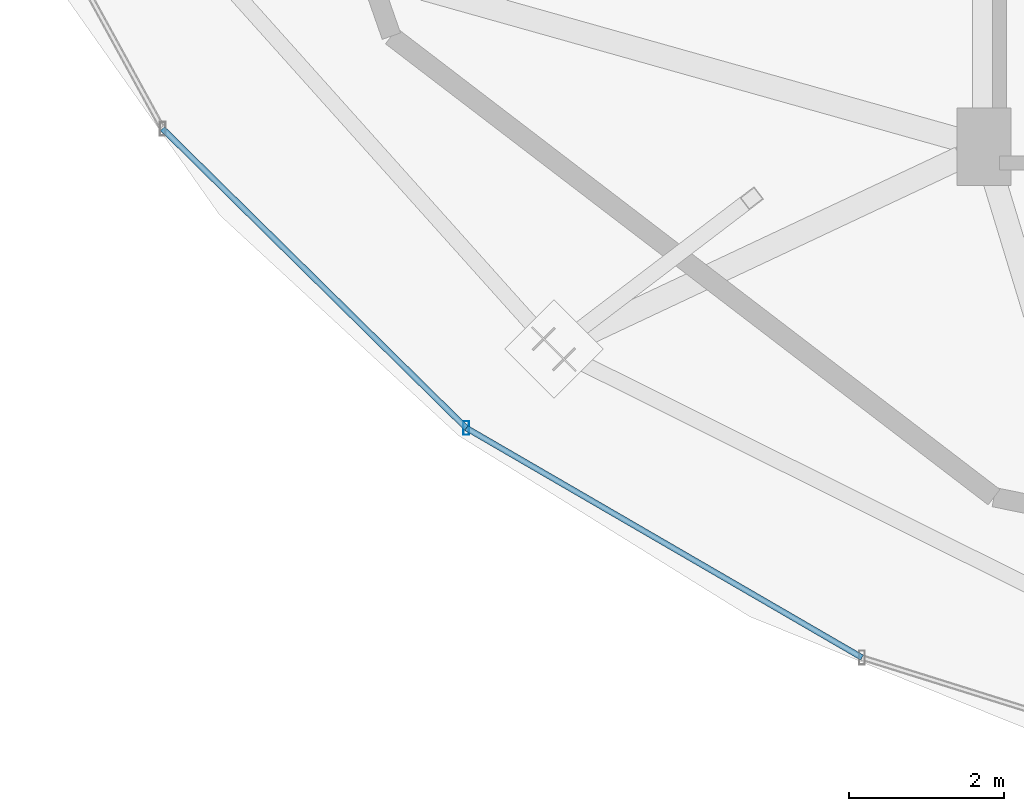
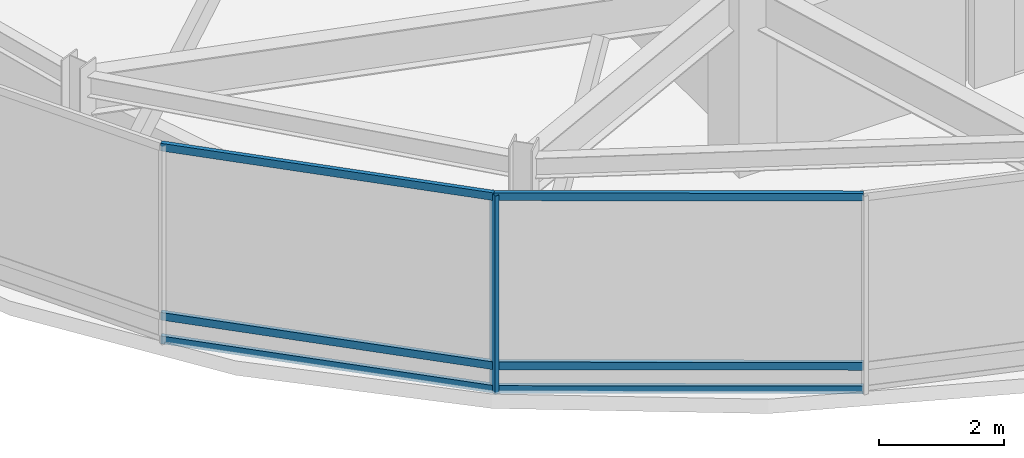
# One storey, part 2 of 28: 7 members, 1 element without a shape of its own.
"""IFC4 building model written with IfcOpenShell, lengths in metres."""

from ifc_helpers import new_model, si_unit, direction, frame, origin, origin_2d, place, context, subcontext, project, spatial, hollow_rectangle, extrude, material, material_profile, profile_set, type_object, element, aggregate, save


model = new_model("IFC4")

# Units and contexts
model_context = context("Model", 3, precision=1e-05, world=origin(), true_north=direction((0.0, 1.0)))
body_context = subcontext(model_context, "Body", "Model", "MODEL_VIEW")
ifc_project = project(units=[si_unit("LENGTHUNIT", "METRE"), si_unit("AREAUNIT", "SQUARE_METRE"), si_unit("VOLUMEUNIT", "CUBIC_METRE"), si_unit("PLANEANGLEUNIT", "RADIAN"), si_unit("MASSUNIT", "GRAM", prefix="KILO")], contexts=[model_context])

# Site, building, storey
site_placement = place(None, origin())
site = spatial("IfcSite", under=ifc_project, at=site_placement, CompositionType="ELEMENT")
building_placement = place(site_placement, origin())
building = spatial("IfcBuilding", under=site, at=building_placement, Name="Vorneva Point Tower", CompositionType="ELEMENT")
storey_placement = place(building_placement, frame((0.0, 0.0, 295.39990234375)))
storey = spatial("IfcBuildingStorey", under=building, at=storey_placement, Name="C01", CompositionType="ELEMENT", Elevation=295.39990234375)

# Curtain wall, members
ifc_material = material(Name="Pale anodised aluminium", Category="aluminium")
curtain_wall_type = type_object("IfcCurtainWallType", Name="CW-CRN-SYS", PredefinedType="NOTDEFINED", material=ifc_material)
curtain_wall_placement = place(storey_placement, origin())
curtain_wall = element("IfcCurtainWall", 1, at=curtain_wall_placement, inside=storey, type_object=curtain_wall_type, Name="C01 Unitised Curtain Wall CW-C01-Q3", PredefinedType="NOTDEFINED")
ifc_material_profile_1 = material_profile(ifc_material, hollow_rectangle(XDim=0.074951171875, YDim=0.179931640625, WallThickness=0.00390625, at=origin_2d()), Name="AL-MUL 180x75x4")
ifc_profile_set_1 = profile_set([ifc_material_profile_1], Name="Pale anodised aluminium")
member_type_1 = type_object("IfcMemberType", Name="CW-MUL-180", PredefinedType="MULLION", material=ifc_profile_set_1)
member_1_placement = place(storey_placement, frame((20.56982421875, 12.819580078125, -0.039794921875), z_axis=(0.0, 0.0, 1.0), x_axis=(1.0, 0.0, 0.0)))
member_1 = element("IfcMember", 2, at=member_1_placement, type_object=member_type_1, Name="CW-C01-Q3 Mullion 04", PredefinedType="MULLION", context=body_context, shape_type="SweptSolid", body=[
    extrude(hollow_rectangle(XDim=0.074951171875, YDim=0.179931640625, WallThickness=0.00390625, at=origin_2d()), origin(), (0.0, 0.0, 1.0), 3.869873046875),
])
ifc_material_profile_2 = material_profile(ifc_material, hollow_rectangle(XDim=0.074951171875, YDim=0.14990234375, WallThickness=0.00390625, at=origin_2d()), Name="AL-TRN 150x75x4")
ifc_profile_set_2 = profile_set([ifc_material_profile_2], Name="Pale anodised aluminium")
member_type_2 = type_object("IfcMemberType", Name="CW-TRN-150", PredefinedType="USERDEFINED", material=ifc_profile_set_2)
member_2_placement = place(storey_placement, frame((16.652587890625, 16.679931640625, 0.02001953125), z_axis=(0.712259463198, -0.701916274982, 0.0), x_axis=(0.701916274982, 0.712259463198, 0.0)))
member_2 = element("IfcMember", 3, at=member_2_placement, type_object=member_type_2, Name="CW-C01-Q3 Transom 03.1", ObjectType="TRANSOM", PredefinedType="USERDEFINED", context=body_context, shape_type="SweptSolid", body=[
    extrude(hollow_rectangle(XDim=0.074951171875, YDim=0.14990234375, WallThickness=0.00390625, at=origin_2d()), origin(), (0.0, 0.0, 1.0), 5.499755859375),
])
member_3_placement = place(storey_placement, frame((16.652587890625, 16.679931640625, 0.47998046875), z_axis=(0.712259463198, -0.701916274982, 0.0), x_axis=(0.701916274982, 0.712259463198, 0.0)))
member_3 = element("IfcMember", 4, at=member_3_placement, type_object=member_type_2, Name="CW-C01-Q3 Transom 03.2", ObjectType="TRANSOM", PredefinedType="USERDEFINED", context=body_context, shape_type="SweptSolid", body=[
    extrude(hollow_rectangle(XDim=0.074951171875, YDim=0.14990234375, WallThickness=0.00390625, at=origin_2d()), origin(), (0.0, 0.0, 1.0), 5.499755859375),
])
member_4_placement = place(storey_placement, frame((16.652587890625, 16.679931640625, 3.780029296875), z_axis=(0.712259463198, -0.701916274982, 0.0), x_axis=(0.701916274982, 0.712259463198, 0.0)))
member_4 = element("IfcMember", 5, at=member_4_placement, type_object=member_type_2, Name="CW-C01-Q3 Transom 03.3", ObjectType="TRANSOM", PredefinedType="USERDEFINED", context=body_context, shape_type="SweptSolid", body=[
    extrude(hollow_rectangle(XDim=0.074951171875, YDim=0.14990234375, WallThickness=0.00390625, at=origin_2d()), origin(), (0.0, 0.0, 1.0), 5.499755859375),
])
member_5_placement = place(storey_placement, frame((20.56982421875, 12.819580078125, 0.02001953125), z_axis=(0.864948240348, -0.501861077908, 0.0), x_axis=(0.501861077908, 0.864948240348, 0.0)))
member_5 = element("IfcMember", 6, at=member_5_placement, type_object=member_type_2, Name="CW-C01-Q3 Transom 04.1", ObjectType="TRANSOM", PredefinedType="USERDEFINED", context=body_context, shape_type="SweptSolid", body=[
    extrude(hollow_rectangle(XDim=0.074951171875, YDim=0.14990234375, WallThickness=0.00390625, at=origin_2d()), origin(), (0.0, 0.0, 1.0), 5.90234375),
])
member_6_placement = place(storey_placement, frame((20.56982421875, 12.819580078125, 0.47998046875), z_axis=(0.864948240348, -0.501861077908, 0.0), x_axis=(0.501861077908, 0.864948240348, 0.0)))
member_6 = element("IfcMember", 7, at=member_6_placement, type_object=member_type_2, Name="CW-C01-Q3 Transom 04.2", ObjectType="TRANSOM", PredefinedType="USERDEFINED", context=body_context, shape_type="SweptSolid", body=[
    extrude(hollow_rectangle(XDim=0.074951171875, YDim=0.14990234375, WallThickness=0.00390625, at=origin_2d()), origin(), (0.0, 0.0, 1.0), 5.90234375),
])
member_7_placement = place(storey_placement, frame((20.56982421875, 12.819580078125, 3.780029296875), z_axis=(0.864948240348, -0.501861077908, 0.0), x_axis=(0.501861077908, 0.864948240348, 0.0)))
member_7 = element("IfcMember", 8, at=member_7_placement, type_object=member_type_2, Name="CW-C01-Q3 Transom 04.3", ObjectType="TRANSOM", PredefinedType="USERDEFINED", context=body_context, shape_type="SweptSolid", body=[
    extrude(hollow_rectangle(XDim=0.074951171875, YDim=0.14990234375, WallThickness=0.00390625, at=origin_2d()), origin(), (0.0, 0.0, 1.0), 5.90234375),
])
aggregate(curtain_wall, [member_1, member_2, member_3, member_4, member_5, member_6, member_7])

save(model, "model.ifc")
